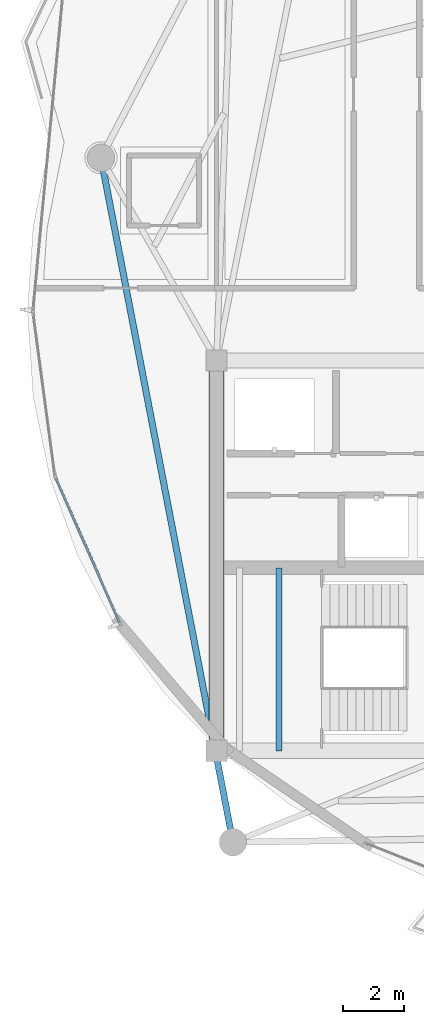
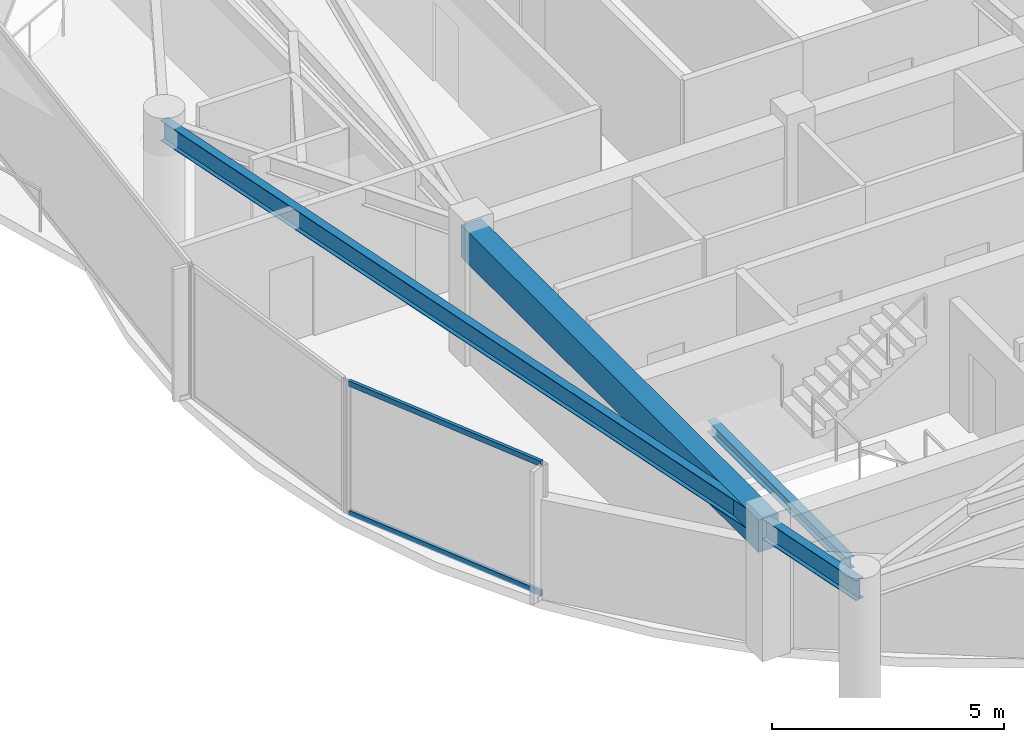
# One storey, part 3 of 22: 3 beams, 2 members, 1 element without a shape of its own.
"""IFC4 building model written with IfcOpenShell, lengths in metres."""

from ifc_helpers import new_model, si_unit, direction, frame, origin, origin_2d, place, context, subcontext, project, spatial, rectangle, hollow_rectangle, i_section, extrude, material, layer, layer_set, material_profile, profile_set, type_object, element, aggregate, save


model = new_model("IFC4")

# Units and contexts
model_context = context("Model", 3, precision=1e-05, world=origin(), true_north=direction((0.0, 1.0)))
body_context = subcontext(model_context, "Body", "Model", "MODEL_VIEW")
ifc_project = project(units=[si_unit("LENGTHUNIT", "METRE"), si_unit("AREAUNIT", "SQUARE_METRE"), si_unit("VOLUMEUNIT", "CUBIC_METRE"), si_unit("PLANEANGLEUNIT", "RADIAN"), si_unit("MASSUNIT", "GRAM", prefix="KILO")], contexts=[model_context])

# Site, building, storey
site_placement = place(None, origin())
site = spatial("IfcSite", under=ifc_project, at=site_placement, CompositionType="ELEMENT")
building_placement = place(site_placement, origin())
building = spatial("IfcBuilding", under=site, at=building_placement, Name="Kazevale Care Tower and Concert Hall", CompositionType="ELEMENT")
storey_placement = place(building_placement, frame((0.0, 0.0, 277.60009765625)))
storey = spatial("IfcBuildingStorey", under=building, at=storey_placement, Name="L73", CompositionType="ELEMENT", Elevation=277.60009765625)

# Curtain wall, members
ifc_material_1 = material(Name="Aluminium 6063-T6 and Low-E Glass", Category="aluminium")
ifc_layer = layer(ifc_material_1, 0.179931640625)
ifc_layer_set = layer_set([ifc_layer], Name="Aluminium 6063-T6 and Low-E Glass")
curtain_wall_type = type_object("IfcCurtainWallType", Name="Waist & Upper Residential Curtain Wall CW-4", PredefinedType="NOTDEFINED", material=ifc_layer_set)
curtain_wall_placement = place(storey_placement, origin())
curtain_wall = element("IfcCurtainWall", 1, at=curtain_wall_placement, inside=storey, type_object=curtain_wall_type, Name="cw:L73:f07", PredefinedType="NOTDEFINED")
ifc_material_2 = material(Name="Aluminium 6063-T6", Category="aluminium")
ifc_material_profile_1 = material_profile(ifc_material_2, hollow_rectangle(XDim=0.080078125, YDim=0.139892578125, WallThickness=0.00390625, at=origin_2d()), Name="ALU80x140x4")
ifc_profile_set_1 = profile_set([ifc_material_profile_1], Name="Aluminium 6063-T6")
member_type = type_object("IfcMemberType", Name="CW-4 Transom ALU80x140x4", PredefinedType="USERDEFINED", material=ifc_profile_set_1)
member_1_placement = place(storey_placement, frame((18.812744140625, 27.82421875, 0.039794921875), z_axis=(-0.403602784518, 0.91493431039, 0.0), x_axis=(-0.91493431039, -0.403602784518, 0.0)))
member_1 = element("IfcMember", 2, at=member_1_placement, type_object=member_type, Name="CW-4 transom 1.1", ObjectType="TRANSOM", PredefinedType="USERDEFINED", context=body_context, shape_type="SweptSolid", body=[
    extrude(hollow_rectangle(XDim=0.080078125, YDim=0.139892578125, WallThickness=0.00390625, at=origin_2d()), origin(), (0.0, 0.0, 1.0), 5.139892578125),
])
member_2_placement = place(storey_placement, frame((18.812744140625, 27.82421875, 3.43994140625), z_axis=(-0.403602784518, 0.91493431039, 0.0), x_axis=(-0.91493431039, -0.403602784518, 0.0)))
member_2 = element("IfcMember", 3, at=member_2_placement, type_object=member_type, Name="CW-4 transom 1.2", ObjectType="TRANSOM", PredefinedType="USERDEFINED", context=body_context, shape_type="SweptSolid", body=[
    extrude(hollow_rectangle(XDim=0.080078125, YDim=0.139892578125, WallThickness=0.00390625, at=origin_2d()), origin(), (0.0, 0.0, 1.0), 5.139892578125),
])
aggregate(curtain_wall, [member_1, member_2])

# Beams
ifc_material_3 = material(Name="Concrete C60", Category="concrete")
ifc_material_profile_2 = material_profile(ifc_material_3, rectangle(XDim=0.5, YDim=0.85009765625, at=origin_2d()), Name="RC-B500x850")
ifc_profile_set_2 = profile_set([ifc_material_profile_2], Name="Concrete C60")
beam_type_1 = type_object("IfcBeamType", Name="Core Coupling Beam RC500x850", PredefinedType="LINTEL", material=ifc_profile_set_2)
beam_1_placement = place(storey_placement, frame((22.0, 36.39990234375, 3.054931640625), z_axis=(0.0, -1.0, 0.0), x_axis=(1.0, 0.0, 0.0)))
element("IfcBeam", 4, at=beam_1_placement, inside=storey, type_object=beam_type_1, Name="beam:L73:coretie:8", PredefinedType="LINTEL", context=body_context, shape_type="SweptSolid", body=[
    extrude(rectangle(XDim=0.5, YDim=0.85009765625, at=origin_2d()), origin(), (0.0, 0.0, 1.0), 12.7998046875),
])
ifc_material_4 = material(Name="Steel ASTM A572 Gr 50", Category="steel")
ifc_material_profile_3 = material_profile(ifc_material_4, i_section(OverallWidth=0.202880859375, OverallDepth=0.302978515625, WebThickness=0.007568359375, FlangeThickness=0.01318359375, at=origin_2d()), Name="W310x60")
ifc_profile_set_3 = profile_set([ifc_material_profile_3], Name="Steel ASTM A572 Gr 50")
beam_type_2 = type_object("IfcBeamType", Name="Stair & Balcony Trimmer W310x60", PredefinedType="BEAM", material=ifc_profile_set_3)
beam_2_placement = place(storey_placement, frame((24.050048828125, 23.60009765625, 1.54833984375), z_axis=(0.0, 1.0, 0.0), x_axis=(-1.0, 0.0, 0.0)))
element("IfcBeam", 5, at=beam_2_placement, inside=storey, type_object=beam_type_2, Name="beam:L73:sttrim:ST1b", PredefinedType="BEAM", context=body_context, shape_type="SweptSolid", body=[
    extrude(i_section(OverallWidth=0.202880859375, OverallDepth=0.302978515625, WebThickness=0.007568359375, FlangeThickness=0.01318359375, at=origin_2d()), origin(), (0.0, 0.0, 1.0), 6.0),
])
ifc_material_profile_4 = material_profile(ifc_material_4, i_section(OverallWidth=0.208984375, OverallDepth=0.532958984375, WebThickness=0.01025390625, FlangeThickness=0.015625, at=origin_2d()), Name="W530x92")
ifc_profile_set_4 = profile_set([ifc_material_profile_4], Name="Steel ASTM A572 Gr 50")
beam_type_3 = type_object("IfcBeamType", Name="Upper Ring Beam W530x92", PredefinedType="BEAM", material=ifc_profile_set_4)
beam_3_placement = place(storey_placement, frame((18.2099609375, 43.050048828125, 3.21337890625), z_axis=(0.189386387255, -0.981902640959, 0.0), x_axis=(0.981902640959, 0.189386387255, 0.0)))
element("IfcBeam", 6, at=beam_3_placement, inside=storey, type_object=beam_type_3, Name="beam:L73:ring:09", PredefinedType="BEAM", context=body_context, shape_type="SweptSolid", body=[
    extrude(i_section(OverallWidth=0.208984375, OverallDepth=0.532958984375, WebThickness=0.01025390625, FlangeThickness=0.015625, at=origin_2d()), origin(), (0.0, 0.0, 1.0), 22.86376953125),
])

save(model, "model.ifc")
